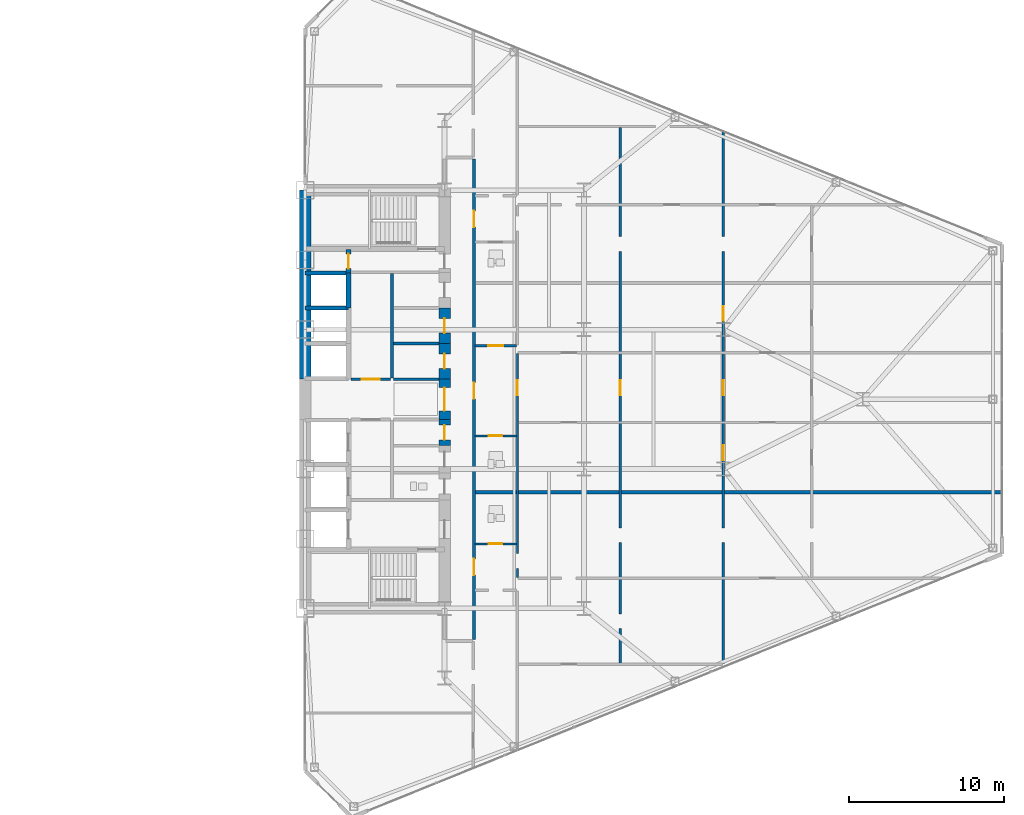
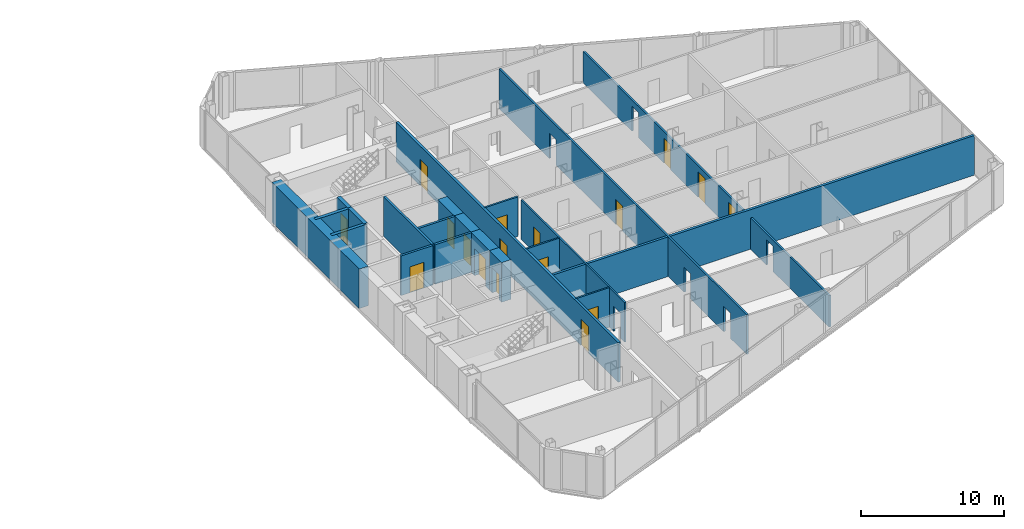
# One storey, part 21 of 25: 21 walls, 17 doors, 23 openings.
"""IFC4 building model written with IfcOpenShell, lengths in metres."""

from ifc_helpers import new_model, si_unit, direction, frame, frame_2d, origin, place, context, subcontext, project, spatial, rectangle, extrude, source, transform, mapped, material, layer, layer_set, type_object, type_shapes, element, fill, save


model = new_model("IFC4")

# Units and contexts
model_context = context("Model", 3, precision=1e-05, world=origin(), true_north=direction((0.0, 1.0)))
body_context = subcontext(model_context, "Body", "Model", "MODEL_VIEW")
ifc_project = project(units=[si_unit("LENGTHUNIT", "METRE"), si_unit("AREAUNIT", "SQUARE_METRE"), si_unit("VOLUMEUNIT", "CUBIC_METRE"), si_unit("PLANEANGLEUNIT", "RADIAN"), si_unit("MASSUNIT", "GRAM", prefix="KILO")], contexts=[model_context])

# Site, building, storey
site_placement = place(None, origin())
site = spatial("IfcSite", under=ifc_project, at=site_placement, CompositionType="ELEMENT")
building_placement = place(site_placement, origin())
building = spatial("IfcBuilding", under=site, at=building_placement, Name="Seokmaru Belvedere", CompositionType="ELEMENT")
storey_placement = place(building_placement, frame((0.0, 0.0, 33.300048828125)))
storey = spatial("IfcBuildingStorey", under=building, at=storey_placement, Name="L08", CompositionType="ELEMENT", Elevation=33.300048828125)

# Wall, opening, door
ifc_material_1 = material(Name="Fire-Rated Gypsum Shaftwall")
ifc_layer_1 = layer(ifc_material_1, 0.14990234375)
ifc_layer_set_1 = layer_set([ifc_layer_1], Name="Fire-Rated Gypsum Shaftwall")
wall_type_1 = type_object("IfcWallType", Name="Apartment Fire-Acoustic Room Partition 150", PredefinedType="PARTITIONING", material=ifc_layer_set_1)
wall_1_placement = place(storey_placement, frame((38.449951171875, 3.449951171875, 0.0), z_axis=(0.0, 0.0, 1.0), x_axis=(1.0, 0.0, 0.0)))
wall_1 = element("IfcWall", 1, at=wall_1_placement, inside=storey, type_object=wall_type_1, Name="L08 Interior Partition 022", PredefinedType="PARTITIONING", context=body_context, shape_type="SweptSolid", body=[
    extrude(rectangle(XDim=2.699951171875, YDim=0.14990234375, at=frame_2d((1.35009765625, 0.0))), origin(), (0.0, 0.0, 1.0), 3.3798828125),
])
opening_1_placement = place(wall_1_placement, frame((0.875, 0.0, 0.0)))
opening_1 = element("IfcOpeningElement", 2, at=opening_1_placement, cuts=wall_1, Name="Opening D05", PredefinedType="OPENING", context=body_context, shape_type="SweptSolid", body=[
    extrude(rectangle(XDim=0.949951171875, YDim=2.14990234375, at=frame_2d((0.47509765625, 1.074951171875))), frame((0.0, 0.0849609375, 0.0), z_axis=(0.0, -1.0, 0.0), x_axis=(1.0, 0.0, 0.0)), (0.0, 0.0, 1.0), 0.169921875),
])
ifc_material_2 = material(Name="Engineered White Oak Timber", Category="wood")
door_type_1 = type_object("IfcDoorType", Name="Apartment Interior Fire-Rated Oak Door 950x2150", OperationType="NOTDEFINED", PredefinedType="DOOR", material=ifc_material_2)
shared_shape_1 = source(origin(), body_context, "Body", "SweptSolid", [
    extrude(rectangle(XDim=0.949951171875, YDim=2.14990234375, at=frame_2d((0.47509765625, 1.074951171875))), frame((0.0, 0.02490234375, 0.0), z_axis=(0.0, -1.0, 0.0), x_axis=(1.0, 0.0, 0.0)), (0.0, 0.0, 1.0), 0.050048828125),
])
type_shapes(door_type_1, [shared_shape_1])
door_1_placement = place(opening_1_placement, origin())
door_1 = element("IfcDoor", 3, at=door_1_placement, inside=storey, type_object=door_type_1, Name="L08 Interior Door 053", OperationType="SINGLE_SWING_RIGHT", OverallHeight=2.14990234375, OverallWidth=0.949951171875, PredefinedType="DOOR", context=body_context, shape_type="MappedRepresentation", body=[
    mapped(shared_shape_1, transform((0.0, 0.0, 0.0), scale=1.0)),
])
fill(opening_1, door_1)

# Wall, openings, door
wall_2_placement = place(storey_placement, frame((47.85009765625, -17.06298828125, 0.0), z_axis=(0.0, 0.0, 1.0), x_axis=(0.0, 1.0, 0.0)))
wall_2 = element("IfcWall", 4, at=wall_2_placement, inside=storey, type_object=wall_type_1, Name="L08 Interior Partition 059", PredefinedType="PARTITIONING", context=body_context, shape_type="SweptSolid", body=[
    extrude(rectangle(XDim=34.6259765625, YDim=0.14990234375, at=frame_2d((17.31298828125, 0.0))), origin(), (0.0, 0.0, 1.0), 3.3798828125),
])
opening_2_placement = place(wall_2_placement, frame((7.809814453125, 0.0, 0.0)))
element("IfcOpeningElement", 5, at=opening_2_placement, cuts=wall_2, Name="L08 Cased Opening 043", PredefinedType="OPENING", context=body_context, shape_type="SweptSolid", body=[
    extrude(rectangle(XDim=0.949951171875, YDim=2.14990234375, at=frame_2d((0.47509765625, 1.074951171875))), frame((0.0, 0.0849609375, 0.0), z_axis=(0.0, -1.0, 0.0), x_axis=(1.0, 0.0, 0.0)), (0.0, 0.0, 1.0), 0.169921875),
])
opening_3_placement = place(wall_2_placement, frame((2.25341796875, 0.0, 0.0)))
element("IfcOpeningElement", 6, at=opening_3_placement, cuts=wall_2, Name="L08 Cased Opening 048", PredefinedType="OPENING", context=body_context, shape_type="SweptSolid", body=[
    extrude(rectangle(XDim=0.949951171875, YDim=2.14990234375, at=frame_2d((0.47509765625, 1.074951171875))), frame((0.0, 0.0849609375, 0.0), z_axis=(0.0, -1.0, 0.0), x_axis=(1.0, 0.0, 0.0)), (0.0, 0.0, 1.0), 0.169921875),
])
opening_4_placement = place(wall_2_placement, frame((17.337890625, 0.0, 0.0)))
opening_4 = element("IfcOpeningElement", 7, at=opening_4_placement, cuts=wall_2, Name="Opening D05", PredefinedType="OPENING", context=body_context, shape_type="SweptSolid", body=[
    extrude(rectangle(XDim=0.949951171875, YDim=2.14990234375, at=frame_2d((0.47509765625, 1.074951171875))), frame((0.0, 0.0849609375, 0.0), z_axis=(0.0, -1.0, 0.0), x_axis=(1.0, 0.0, 0.0)), (0.0, 0.0, 1.0), 0.169921875),
])
opening_5_placement = place(wall_2_placement, frame((26.6162109375, 0.0, 0.0)))
element("IfcOpeningElement", 8, at=opening_5_placement, cuts=wall_2, Name="L08 Cased Opening 070", PredefinedType="OPENING", context=body_context, shape_type="SweptSolid", body=[
    extrude(rectangle(XDim=0.949951171875, YDim=2.14990234375, at=frame_2d((0.47509765625, 1.074951171875))), frame((0.0, 0.0849609375, 0.0), z_axis=(0.0, -1.0, 0.0), x_axis=(1.0, 0.0, 0.0)), (0.0, 0.0, 1.0), 0.169921875),
])
door_2_placement = place(opening_4_placement, origin())
door_2 = element("IfcDoor", 9, at=door_2_placement, inside=storey, type_object=door_type_1, Name="L08 Interior Door 056", OperationType="SINGLE_SWING_LEFT", OverallHeight=2.14990234375, OverallWidth=0.949951171875, PredefinedType="DOOR", context=body_context, shape_type="MappedRepresentation", body=[
    mapped(shared_shape_1, transform((0.0, 0.0, 0.0), scale=1.0)),
])
fill(opening_4, door_2)

# Wall, openings, doors
wall_3_placement = place(storey_placement, frame((54.5, -17.06298828125, 0.0), z_axis=(0.0, 0.0, 1.0), x_axis=(0.0, 1.0, 0.0)))
wall_3 = element("IfcWall", 10, at=wall_3_placement, inside=storey, type_object=wall_type_1, Name="L08 Interior Partition 060", PredefinedType="PARTITIONING", context=body_context, shape_type="SweptSolid", body=[
    extrude(rectangle(XDim=34.384033203125, YDim=0.14990234375, at=frame_2d((17.19189453125, 0.0))), origin(), (0.0, 0.0, 1.0), 2.679931640625),
])
opening_6_placement = place(wall_3_placement, frame((7.809814453125, 0.0, 0.0)))
element("IfcOpeningElement", 11, at=opening_6_placement, cuts=wall_3, Name="L08 Cased Opening 044", PredefinedType="OPENING", context=body_context, shape_type="SweptSolid", body=[
    extrude(rectangle(XDim=0.949951171875, YDim=2.14990234375, at=frame_2d((0.47509765625, 1.074951171875))), frame((0.0, 0.0849609375, 0.0), z_axis=(0.0, -1.0, 0.0), x_axis=(1.0, 0.0, 0.0)), (0.0, 0.0, 1.0), 0.169921875),
])
opening_7_placement = place(wall_3_placement, frame((17.337890625, 0.0, 0.0)))
opening_7 = element("IfcOpeningElement", 12, at=opening_7_placement, cuts=wall_3, Name="Opening D05", PredefinedType="OPENING", context=body_context, shape_type="SweptSolid", body=[
    extrude(rectangle(XDim=0.949951171875, YDim=2.14990234375, at=frame_2d((0.47509765625, 1.074951171875))), frame((0.0, 0.0849609375, 0.0), z_axis=(0.0, -1.0, 0.0), x_axis=(1.0, 0.0, 0.0)), (0.0, 0.0, 1.0), 0.169921875),
])
opening_8_placement = place(wall_3_placement, frame((13.130859375, 0.0, 0.0)))
opening_8 = element("IfcOpeningElement", 13, at=opening_8_placement, cuts=wall_3, Name="Opening D05", PredefinedType="OPENING", context=body_context, shape_type="SweptSolid", body=[
    extrude(rectangle(XDim=0.949951171875, YDim=2.14990234375, at=frame_2d((0.47509765625, 1.074951171875))), frame((0.0, 0.0849609375, 0.0), z_axis=(0.0, -1.0, 0.0), x_axis=(1.0, 0.0, 0.0)), (0.0, 0.0, 1.0), 0.169921875),
])
opening_9_placement = place(wall_3_placement, frame((22.130859375, 0.0, 0.0)))
opening_9 = element("IfcOpeningElement", 14, at=opening_9_placement, cuts=wall_3, Name="Opening D05", PredefinedType="OPENING", context=body_context, shape_type="SweptSolid", body=[
    extrude(rectangle(XDim=0.949951171875, YDim=2.14990234375, at=frame_2d((0.47509765625, 1.074951171875))), frame((0.0, 0.0849609375, 0.0), z_axis=(0.0, -1.0, 0.0), x_axis=(1.0, 0.0, 0.0)), (0.0, 0.0, 1.0), 0.169921875),
])
opening_10_placement = place(wall_3_placement, frame((26.6162109375, 0.0, 0.0)))
element("IfcOpeningElement", 15, at=opening_10_placement, cuts=wall_3, Name="L08 Cased Opening 072", PredefinedType="OPENING", context=body_context, shape_type="SweptSolid", body=[
    extrude(rectangle(XDim=0.949951171875, YDim=2.14990234375, at=frame_2d((0.47509765625, 1.074951171875))), frame((0.0, 0.0849609375, 0.0), z_axis=(0.0, -1.0, 0.0), x_axis=(1.0, 0.0, 0.0)), (0.0, 0.0, 1.0), 0.169921875),
])
door_3_placement = place(opening_7_placement, origin())
door_3 = element("IfcDoor", 16, at=door_3_placement, inside=storey, type_object=door_type_1, Name="L08 Interior Door 058", OperationType="SINGLE_SWING_LEFT", OverallHeight=2.14990234375, OverallWidth=0.949951171875, PredefinedType="DOOR", context=body_context, shape_type="MappedRepresentation", body=[
    mapped(shared_shape_1, transform((0.0, 0.0, 0.0), scale=1.0)),
])
fill(opening_7, door_3)
door_4_placement = place(opening_8_placement, origin())
door_4 = element("IfcDoor", 17, at=door_4_placement, inside=storey, type_object=door_type_1, Name="L08 Interior Door 064", OperationType="SINGLE_SWING_LEFT", OverallHeight=2.14990234375, OverallWidth=0.949951171875, PredefinedType="DOOR", context=body_context, shape_type="MappedRepresentation", body=[
    mapped(shared_shape_1, transform((0.0, 0.0, 0.0), scale=1.0)),
])
fill(opening_8, door_4)
door_5_placement = place(opening_9_placement, origin())
door_5 = element("IfcDoor", 18, at=door_5_placement, inside=storey, type_object=door_type_1, Name="L08 Interior Door 065", OperationType="SINGLE_SWING_RIGHT", OverallHeight=2.14990234375, OverallWidth=0.949951171875, PredefinedType="DOOR", context=body_context, shape_type="MappedRepresentation", body=[
    mapped(shared_shape_1, transform((0.0, 0.0, 0.0), scale=1.0)),
])
fill(opening_9, door_5)

# Wall
ifc_layer_2 = layer(ifc_material_1, 0.179931640625)
ifc_layer_set_2 = layer_set([ifc_layer_2], Name="Fire-Rated Gypsum Shaftwall")
wall_type_2 = type_object("IfcWallType", Name="Core Service Fire Partition 180", PredefinedType="PARTITIONING", material=ifc_layer_set_2)
wall_4_placement = place(storey_placement, frame((33.10009765625, 1.3798828125, 0.0), z_axis=(0.0, 0.0, 1.0), x_axis=(0.0, 1.0, 0.0)))
element("IfcWall", 19, at=wall_4_placement, inside=storey, type_object=wall_type_2, Name="L08 East North Core Service Back Wall", PredefinedType="PARTITIONING", context=body_context, shape_type="SweptSolid", body=[
    extrude(rectangle(XDim=6.740234375, YDim=0.179931640625, at=frame_2d((3.3701171875, 0.0))), origin(), (0.0, 0.0, 1.0), 3.3798828125),
])

# Wall, opening, door
wall_5_placement = place(storey_placement, frame((30.449951171875, 1.300048828125, 0.0), z_axis=(0.0, 0.0, 1.0), x_axis=(1.0, 0.0, 0.0)))
wall_5 = element("IfcWall", 20, at=wall_5_placement, inside=storey, type_object=wall_type_2, Name="L08 East North Lift Lobby Foyer Wall", PredefinedType="PARTITIONING", context=body_context, shape_type="SweptSolid", body=[
    extrude(rectangle(XDim=2.570068359375, YDim=0.179931640625, at=frame_2d((1.28515625, 0.0))), origin(), (0.0, 0.0, 1.0), 3.3798828125),
])
opening_11_placement = place(wall_5_placement, frame((0.7099609375, 0.0, 0.0)))
opening_11 = element("IfcOpeningElement", 21, at=opening_11_placement, cuts=wall_5, Name="Opening D02", PredefinedType="OPENING", context=body_context, shape_type="SweptSolid", body=[
    extrude(rectangle(XDim=1.14990234375, YDim=2.199951171875, at=frame_2d((0.574951171875, 1.10009765625))), frame((0.0, 0.10009765625, 0.0), z_axis=(0.0, -1.0, 0.0), x_axis=(1.0, 0.0, 0.0)), (0.0, 0.0, 1.0), 0.199951171875),
])
ifc_material_3 = material(Name="Fire-Rated Steel Leaf", Category="steel")
door_type_2 = type_object("IfcDoorType", Name="Lobby and Vestibule Fire Door 1150x2200", OperationType="NOTDEFINED", PredefinedType="DOOR", material=ifc_material_3)
shared_shape_2 = source(origin(), body_context, "Body", "SweptSolid", [
    extrude(rectangle(XDim=1.14990234375, YDim=2.199951171875, at=frame_2d((0.574951171875, 1.10009765625))), frame((0.0, 0.02490234375, 0.0), z_axis=(0.0, -1.0, 0.0), x_axis=(1.0, 0.0, 0.0)), (0.0, 0.0, 1.0), 0.050048828125),
])
type_shapes(door_type_2, [shared_shape_2])
door_6_placement = place(opening_11_placement, origin())
door_6 = element("IfcDoor", 22, at=door_6_placement, inside=storey, type_object=door_type_2, Name="L08 East North Lift Lobby Door", OperationType="SINGLE_SWING_LEFT", OverallHeight=2.199951171875, OverallWidth=1.14990234375, PredefinedType="DOOR", context=body_context, shape_type="MappedRepresentation", body=[
    mapped(shared_shape_2, transform((0.0, 0.0, 0.0), scale=1.0)),
])
fill(opening_11, door_6)

# Walls
for number, where, z_axis, x_axis, name in (
    (23, (33.199951171875, 1.300048828125, 0.0), (0.0, 0.0, 1.0), (1.0, 0.0, 0.0), "L08 East Foyer Side Wall N"),
    (24, (33.199951171875, 3.60009765625, 0.0), (0.0, 0.0, 1.0), (1.0, 0.0, 0.0), "L08 East Core Service Partition 3"),
):
    element("IfcWall", number, at=place(storey_placement, frame(where, z_axis=z_axis, x_axis=x_axis)), inside=storey, type_object=wall_type_2, Name=name, PredefinedType="PARTITIONING", context=body_context, shape_type="SweptSolid", body=[
        extrude(rectangle(XDim=2.949951171875, YDim=0.179931640625, at=frame_2d((1.47509765625, 0.0))), origin(), (0.0, 0.0, 1.0), 3.3798828125),
    ])
ifc_material_4 = material(Name="Concrete C50 (50 MPa)", Category="concrete")
ifc_layer_3 = layer(ifc_material_4, 0.25)
ifc_layer_set_3 = layer_set([ifc_layer_3], Name="Concrete C50 (50 MPa)")
wall_type_3 = type_object("IfcWallType", Name="Hoistway Transverse Concrete Divider Wall 250", PredefinedType="SHEAR", material=ifc_layer_set_3)
for number, where, z_axis, x_axis, name in (
    (25, (27.5, 5.89990234375, 0.0), (0.0, 0.0, 1.0), (1.0, 0.0, 0.0), "L08 East Hoistway Divider Core Wall 6"),
    (26, (27.5, 8.14990234375, 0.0), (0.0, 0.0, 1.0), (1.0, 0.0, 0.0), "L08 East Hoistway Divider Core Wall 7"),
):
    element("IfcWall", number, at=place(storey_placement, frame(where, z_axis=z_axis, x_axis=x_axis)), inside=storey, type_object=wall_type_3, Name=name, PredefinedType="SHEAR", context=body_context, shape_type="SweptSolid", body=[
        extrude(rectangle(XDim=2.800048828125, YDim=0.25, at=frame_2d((1.39990234375, 0.0))), origin(), (0.0, 0.0, 1.0), 3.3798828125),
    ])
ifc_layer_4 = layer(ifc_material_1, 0.199951171875)
ifc_layer_set_4 = layer_set([ifc_layer_4], Name="Fire-Rated Gypsum Shaftwall")
wall_type_4 = type_object("IfcWallType", Name="Inter-Tenancy Fire Compartment Partition 200", PredefinedType="PARTITIONING", material=ifc_layer_set_4)
wall_6_placement = place(storey_placement, frame((38.47998046875, -6.0, 0.0), z_axis=(0.0, 0.0, 1.0), x_axis=(1.0, 0.0, 0.0)))
element("IfcWall", 27, at=wall_6_placement, inside=storey, type_object=wall_type_4, Name="L08 Interior Partition 015", PredefinedType="PARTITIONING", context=body_context, shape_type="SweptSolid", body=[
    extrude(rectangle(XDim=34.02490234375, YDim=0.199951171875, at=frame_2d((17.012451171875, 0.0))), origin(), (0.0, 0.0, 1.0), 3.3798828125),
])

# Wall, openings, doors
wall_7_placement = place(storey_placement, frame((38.39990234375, -15.514892578125, 0.0), z_axis=(0.0, 0.0, 1.0), x_axis=(0.0, 1.0, 0.0)))
wall_7 = element("IfcWall", 28, at=wall_7_placement, inside=storey, type_object=wall_type_4, Name="L08 Interior Partition 054", PredefinedType="PARTITIONING", context=body_context, shape_type="SweptSolid", body=[
    extrude(rectangle(XDim=31.02978515625, YDim=0.199951171875, at=frame_2d((15.514892578125, 0.0))), origin(), (0.0, 0.0, 1.0), 3.3798828125),
])
opening_12_placement = place(wall_7_placement, frame((4.16259765625, 0.0, 0.0)))
opening_12 = element("IfcOpeningElement", 29, at=opening_12_placement, cuts=wall_7, Name="Opening D03", PredefinedType="OPENING", context=body_context, shape_type="SweptSolid", body=[
    extrude(rectangle(XDim=1.050048828125, YDim=2.25, at=frame_2d((0.52490234375, 1.125))), frame((0.0, 0.10986328125, 0.0), z_axis=(0.0, -1.0, 0.0), x_axis=(1.0, 0.0, 0.0)), (0.0, 0.0, 1.0), 0.219970703125),
])
opening_13_placement = place(wall_7_placement, frame((15.53759765625, 0.0, 0.0)))
opening_13 = element("IfcOpeningElement", 30, at=opening_13_placement, cuts=wall_7, Name="Opening D03", PredefinedType="OPENING", context=body_context, shape_type="SweptSolid", body=[
    extrude(rectangle(XDim=1.050048828125, YDim=2.25, at=frame_2d((0.52490234375, 1.125))), frame((0.0, 0.10986328125, 0.0), z_axis=(0.0, -1.0, 0.0), x_axis=(1.0, 0.0, 0.0)), (0.0, 0.0, 1.0), 0.219970703125),
])
opening_14_placement = place(wall_7_placement, frame((26.635009765625, 0.0, 0.0)))
opening_14 = element("IfcOpeningElement", 31, at=opening_14_placement, cuts=wall_7, Name="Opening D03", PredefinedType="OPENING", context=body_context, shape_type="SweptSolid", body=[
    extrude(rectangle(XDim=1.050048828125, YDim=2.25, at=frame_2d((0.52490234375, 1.125))), frame((0.0, 0.10986328125, 0.0), z_axis=(0.0, -1.0, 0.0), x_axis=(1.0, 0.0, 0.0)), (0.0, 0.0, 1.0), 0.219970703125),
])
door_type_3 = type_object("IfcDoorType", Name="Apartment Entrance Fire Door 1050x2250", OperationType="NOTDEFINED", PredefinedType="DOOR", material=ifc_material_3)
shared_shape_3 = source(origin(), body_context, "Body", "SweptSolid", [
    extrude(rectangle(XDim=1.050048828125, YDim=2.25, at=frame_2d((0.52490234375, 1.125))), frame((0.0, 0.02490234375, 0.0), z_axis=(0.0, -1.0, 0.0), x_axis=(1.0, 0.0, 0.0)), (0.0, 0.0, 1.0), 0.050048828125),
])
type_shapes(door_type_3, [shared_shape_3])
door_7_placement = place(opening_12_placement, origin())
door_7 = element("IfcDoor", 32, at=door_7_placement, inside=storey, type_object=door_type_3, Name="L08 Interior Door 038", OperationType="SINGLE_SWING_LEFT", OverallHeight=2.25, OverallWidth=1.050048828125, PredefinedType="DOOR", context=body_context, shape_type="MappedRepresentation", body=[
    mapped(shared_shape_3, transform((0.0, 0.0, 0.0), scale=1.0)),
])
fill(opening_12, door_7)
door_8_placement = place(opening_13_placement, origin())
door_8 = element("IfcDoor", 33, at=door_8_placement, inside=storey, type_object=door_type_3, Name="L08 Interior Door 051", OperationType="SINGLE_SWING_RIGHT", OverallHeight=2.25, OverallWidth=1.050048828125, PredefinedType="DOOR", context=body_context, shape_type="MappedRepresentation", body=[
    mapped(shared_shape_3, transform((0.0, 0.0, 0.0), scale=1.0)),
])
fill(opening_13, door_8)
door_9_placement = place(opening_14_placement, origin())
door_9 = element("IfcDoor", 34, at=door_9_placement, inside=storey, type_object=door_type_3, Name="L08 Interior Door 066", OperationType="SINGLE_SWING_LEFT", OverallHeight=2.25, OverallWidth=1.050048828125, PredefinedType="DOOR", context=body_context, shape_type="MappedRepresentation", body=[
    mapped(shared_shape_3, transform((0.0, 0.0, 0.0), scale=1.0)),
])
fill(opening_14, door_9)

# Wall
ifc_layer_5 = layer(ifc_material_4, 0.300048828125)
ifc_layer_set_5 = layer_set([ifc_layer_5], Name="Concrete C50 (50 MPa)")
wall_type_5 = type_object("IfcWallType", Name="Internal Core Stair and Hoistway Wall 300", PredefinedType="SHEAR", material=ifc_layer_set_5)
wall_8_placement = place(storey_placement, frame((30.300048828125, 5.89990234375, 0.0), z_axis=(0.0, 0.0, 1.0), x_axis=(0.0, 1.0, 0.0)))
element("IfcWall", 35, at=wall_8_placement, inside=storey, type_object=wall_type_5, Name="L08 East North Hoistway Wall OBS", PredefinedType="SHEAR", context=body_context, shape_type="SweptSolid", body=[
    extrude(rectangle(XDim=2.25, YDim=0.300048828125, at=frame_2d((1.125, 0.0))), origin(), (0.0, 0.0, 1.0), 3.3798828125),
])

# Wall, opening, door
wall_9_placement = place(storey_placement, frame((30.300048828125, 8.14990234375, 0.0), z_axis=(0.0, 0.0, 1.0), x_axis=(0.0, 1.0, 0.0)))
wall_9 = element("IfcWall", 36, at=wall_9_placement, inside=storey, type_object=wall_type_5, Name="L08 East Electrical Riser Front Wall", PredefinedType="SHEAR", context=body_context, shape_type="SweptSolid", body=[
    extrude(rectangle(XDim=1.530029296875, YDim=0.300048828125, at=frame_2d((0.76513671875, 0.0))), origin(), (0.0, 0.0, 1.0), 3.3798828125),
])
opening_15_placement = place(wall_9_placement, frame((0.284912109375, 0.0, 0.0)))
opening_15 = element("IfcOpeningElement", 37, at=opening_15_placement, cuts=wall_9, Name="Opening D04", PredefinedType="OPENING", context=body_context, shape_type="SweptSolid", body=[
    extrude(rectangle(XDim=0.949951171875, YDim=2.14990234375, at=frame_2d((0.47509765625, 1.074951171875))), frame((0.0, 0.16015625, 0.0), z_axis=(0.0, -1.0, 0.0), x_axis=(1.0, 0.0, 0.0)), (0.0, 0.0, 1.0), 0.320068359375),
])
door_type_4 = type_object("IfcDoorType", Name="Core Service Room Fire Door 950x2150", OperationType="NOTDEFINED", PredefinedType="DOOR", material=ifc_material_3)
shared_shape_4 = source(origin(), body_context, "Body", "SweptSolid", [
    extrude(rectangle(XDim=0.949951171875, YDim=2.14990234375, at=frame_2d((0.47509765625, 1.074951171875))), frame((0.0, 0.02490234375, 0.0), z_axis=(0.0, -1.0, 0.0), x_axis=(1.0, 0.0, 0.0)), (0.0, 0.0, 1.0), 0.050048828125),
])
type_shapes(door_type_4, [shared_shape_4])
door_10_placement = place(opening_15_placement, origin())
door_10 = element("IfcDoor", 38, at=door_10_placement, inside=storey, type_object=door_type_4, Name="L08 East Electrical Riser Access Door", OperationType="SINGLE_SWING_RIGHT", OverallHeight=2.14990234375, OverallWidth=0.949951171875, PredefinedType="DOOR", context=body_context, shape_type="MappedRepresentation", body=[
    mapped(shared_shape_4, transform((0.0, 0.0, 0.0), scale=1.0)),
])
fill(opening_15, door_10)

# Wall
ifc_material_5 = material(Name="Concrete C60 (60 MPa)", Category="concrete")
ifc_layer_6 = layer(ifc_material_5, 0.75)
ifc_layer_set_6 = layer_set([ifc_layer_6], Name="Concrete C60 (60 MPa)")
wall_type_6 = type_object("IfcWallType", Name="Lower Tower Reinforced Concrete Core Wall 750", PredefinedType="SHEAR", material=ifc_layer_set_6)
wall_10_placement = place(storey_placement, frame((27.5, 1.300048828125, 0.0), z_axis=(0.0, 0.0, 1.0), x_axis=(0.0, 1.0, 0.0)))
element("IfcWall", 39, at=wall_10_placement, inside=storey, type_object=wall_type_6, Name="L08 East Portal Spine Core Wall North", PredefinedType="SHEAR", context=body_context, shape_type="SweptSolid", body=[
    extrude(rectangle(XDim=12.199951171875, YDim=0.75, at=frame_2d((6.10009765625, 0.0))), origin(), (0.0, 0.0, 1.0), 3.3798828125),
])

# Wall, opening, door
wall_11_placement = place(storey_placement, frame((36.5, -1.300048828125, 0.0), z_axis=(0.0, 0.0, 1.0), x_axis=(0.0, 1.0, 0.0)))
wall_11 = element("IfcWall", 40, at=wall_11_placement, inside=storey, type_object=wall_type_6, Name="L08 East West Core Wall FOY", PredefinedType="SHEAR", context=body_context, shape_type="SweptSolid", body=[
    extrude(rectangle(XDim=2.60009765625, YDim=0.75, at=frame_2d((1.300048828125, 0.0))), origin(), (0.0, 0.0, 1.0), 3.3798828125),
])
opening_16_placement = place(wall_11_placement, frame((0.550048828125, 0.0, 0.0)))
opening_16 = element("IfcOpeningElement", 41, at=opening_16_placement, cuts=wall_11, Name="Opening D08", PredefinedType="OPENING", context=body_context, shape_type="SweptSolid", body=[
    extrude(rectangle(XDim=1.5, YDim=2.300048828125, at=frame_2d((0.75, 1.14990234375))), frame((0.0, 0.385009765625, 0.0), z_axis=(0.0, -1.0, 0.0), x_axis=(1.0, 0.0, 0.0)), (0.0, 0.0, 1.0), 0.77001953125),
])
door_type_5 = type_object("IfcDoorType", Name="Cross-Corridor Compartment Double Fire Door 1500x2300", OperationType="DOUBLE_SWING_LEFT", PredefinedType="DOOR", material=ifc_material_3)
shared_shape_5 = source(origin(), body_context, "Body", "SweptSolid", [
    extrude(rectangle(XDim=1.5, YDim=2.300048828125, at=frame_2d((0.75, 1.14990234375))), frame((0.0, 0.02490234375, 0.0), z_axis=(0.0, -1.0, 0.0), x_axis=(1.0, 0.0, 0.0)), (0.0, 0.0, 1.0), 0.050048828125),
])
type_shapes(door_type_5, [shared_shape_5])
door_11_placement = place(opening_16_placement, origin())
door_11 = element("IfcDoor", 42, at=door_11_placement, inside=storey, type_object=door_type_5, Name="L08 East Core Foyer Compartment Door", OperationType="DOUBLE_SWING_LEFT", OverallHeight=2.300048828125, OverallWidth=1.5, PredefinedType="DOOR", context=body_context, shape_type="MappedRepresentation", body=[
    mapped(shared_shape_5, transform((0.0, 0.0, 0.0), scale=1.0)),
])
fill(opening_16, door_11)

wall_12_placement = place(storey_placement, frame((36.5, -3.0, 0.0), z_axis=(0.0, 0.0, 1.0), x_axis=(0.0, 1.0, 0.0)))
wall_12 = element("IfcWall", 43, at=wall_12_placement, inside=storey, type_object=wall_type_6, Name="L08 East West Core Wall CS3", PredefinedType="SHEAR", context=body_context, shape_type="SweptSolid", body=[
    extrude(rectangle(XDim=1.699951171875, YDim=0.75, at=frame_2d((0.85009765625, 0.0))), origin(), (0.0, 0.0, 1.0), 3.3798828125),
])
opening_17_placement = place(wall_12_placement, frame((0.375, 0.0, 0.0)))
opening_17 = element("IfcOpeningElement", 44, at=opening_17_placement, cuts=wall_12, Name="Opening D04", PredefinedType="OPENING", context=body_context, shape_type="SweptSolid", body=[
    extrude(rectangle(XDim=0.949951171875, YDim=2.14990234375, at=frame_2d((0.47509765625, 1.074951171875))), frame((0.0, 0.385009765625, 0.0), z_axis=(0.0, -1.0, 0.0), x_axis=(1.0, 0.0, 0.0)), (0.0, 0.0, 1.0), 0.77001953125),
])
door_12_placement = place(opening_17_placement, origin())
door_12 = element("IfcDoor", 45, at=door_12_placement, inside=storey, type_object=door_type_4, Name="L08 East Core Service Room Door 3", OperationType="SINGLE_SWING_RIGHT", OverallHeight=2.14990234375, OverallWidth=0.949951171875, PredefinedType="DOOR", context=body_context, shape_type="MappedRepresentation", body=[
    mapped(shared_shape_4, transform((0.0, 0.0, 0.0), scale=1.0)),
])
fill(opening_17, door_12)

wall_13_placement = place(storey_placement, frame((36.5, 1.300048828125, 0.0), z_axis=(0.0, 0.0, 1.0), x_axis=(0.0, 1.0, 0.0)))
wall_13 = element("IfcWall", 46, at=wall_13_placement, inside=storey, type_object=wall_type_6, Name="L08 East West Core Wall CS4", PredefinedType="SHEAR", context=body_context, shape_type="SweptSolid", body=[
    extrude(rectangle(XDim=2.300048828125, YDim=0.75, at=frame_2d((1.14990234375, 0.0))), origin(), (0.0, 0.0, 1.0), 3.3798828125),
])
opening_18_placement = place(wall_13_placement, frame((0.675048828125, 0.0, 0.0)))
opening_18 = element("IfcOpeningElement", 47, at=opening_18_placement, cuts=wall_13, Name="Opening D04", PredefinedType="OPENING", context=body_context, shape_type="SweptSolid", body=[
    extrude(rectangle(XDim=0.949951171875, YDim=2.14990234375, at=frame_2d((0.47509765625, 1.074951171875))), frame((0.0, 0.385009765625, 0.0), z_axis=(0.0, -1.0, 0.0), x_axis=(1.0, 0.0, 0.0)), (0.0, 0.0, 1.0), 0.77001953125),
])
door_13_placement = place(opening_18_placement, origin())
door_13 = element("IfcDoor", 48, at=door_13_placement, inside=storey, type_object=door_type_4, Name="L08 East Core Service Room Door 4", OperationType="SINGLE_SWING_LEFT", OverallHeight=2.14990234375, OverallWidth=0.949951171875, PredefinedType="DOOR", context=body_context, shape_type="MappedRepresentation", body=[
    mapped(shared_shape_4, transform((0.0, 0.0, 0.0), scale=1.0)),
])
fill(opening_18, door_13)

wall_14_placement = place(storey_placement, frame((36.5, 3.60009765625, 0.0), z_axis=(0.0, 0.0, 1.0), x_axis=(0.0, 1.0, 0.0)))
wall_14 = element("IfcWall", 49, at=wall_14_placement, inside=storey, type_object=wall_type_6, Name="L08 East West Core Wall CS5", PredefinedType="SHEAR", context=body_context, shape_type="SweptSolid", body=[
    extrude(rectangle(XDim=2.2998046875, YDim=0.75, at=frame_2d((1.14990234375, 0.0))), origin(), (0.0, 0.0, 1.0), 3.3798828125),
])
opening_19_placement = place(wall_14_placement, frame((0.675048828125, 0.0, 0.0)))
opening_19 = element("IfcOpeningElement", 50, at=opening_19_placement, cuts=wall_14, Name="Opening D04", PredefinedType="OPENING", context=body_context, shape_type="SweptSolid", body=[
    extrude(rectangle(XDim=0.949951171875, YDim=2.14990234375, at=frame_2d((0.47509765625, 1.074951171875))), frame((0.0, 0.385009765625, 0.0), z_axis=(0.0, -1.0, 0.0), x_axis=(1.0, 0.0, 0.0)), (0.0, 0.0, 1.0), 0.77001953125),
])
door_14_placement = place(opening_19_placement, origin())
door_14 = element("IfcDoor", 51, at=door_14_placement, inside=storey, type_object=door_type_4, Name="L08 East Core Service Room Door 5", OperationType="SINGLE_SWING_RIGHT", OverallHeight=2.14990234375, OverallWidth=0.949951171875, PredefinedType="DOOR", context=body_context, shape_type="MappedRepresentation", body=[
    mapped(shared_shape_4, transform((0.0, 0.0, 0.0), scale=1.0)),
])
fill(opening_19, door_14)

ifc_layer_7 = layer(ifc_material_1, 0.1298828125)
ifc_layer_set_7 = layer_set([ifc_layer_7], Name="Fire-Rated Gypsum Shaftwall")
wall_type_7 = type_object("IfcWallType", Name="Moisture-Resistant Fire-Rated Bathroom Partition 130", PredefinedType="PARTITIONING", material=ifc_layer_set_7)
wall_15_placement = place(storey_placement, frame((38.449951171875, -9.330078125, 0.0), z_axis=(0.0, 0.0, 1.0), x_axis=(1.0, 0.0, 0.0)))
wall_15 = element("IfcWall", 52, at=wall_15_placement, inside=storey, type_object=wall_type_7, Name="L08 Interior Partition 012", PredefinedType="PARTITIONING", context=body_context, shape_type="SweptSolid", body=[
    extrude(rectangle(XDim=2.699951171875, YDim=0.1298828125, at=frame_2d((1.35009765625, 0.0))), origin(), (0.0, 0.0, 1.0), 3.3798828125),
])
opening_20_placement = place(wall_15_placement, frame((0.909912109375, 0.0, 0.0)))
opening_20 = element("IfcOpeningElement", 53, at=opening_20_placement, cuts=wall_15, Name="Opening D06", PredefinedType="OPENING", context=body_context, shape_type="SweptSolid", body=[
    extrude(rectangle(XDim=0.8798828125, YDim=2.10009765625, at=frame_2d((0.43994140625, 1.050048828125))), frame((0.0, 0.074951171875, 0.0), z_axis=(0.0, -1.0, 0.0), x_axis=(1.0, 0.0, 0.0)), (0.0, 0.0, 1.0), 0.14990234375),
])
door_type_6 = type_object("IfcDoorType", Name="Bathroom and Restroom Fire-Rated Door 880x2100", OperationType="NOTDEFINED", PredefinedType="DOOR", material=ifc_material_2)
shared_shape_6 = source(origin(), body_context, "Body", "SweptSolid", [
    extrude(rectangle(XDim=0.8798828125, YDim=2.10009765625, at=frame_2d((0.43994140625, 1.050048828125))), frame((0.0, 0.02490234375, 0.0), z_axis=(0.0, -1.0, 0.0), x_axis=(1.0, 0.0, 0.0)), (0.0, 0.0, 1.0), 0.050048828125),
])
type_shapes(door_type_6, [shared_shape_6])
door_15_placement = place(opening_20_placement, origin())
door_15 = element("IfcDoor", 54, at=door_15_placement, inside=storey, type_object=door_type_6, Name="L08 Interior Door 039", OperationType="SINGLE_SWING_RIGHT", OverallHeight=2.10009765625, OverallWidth=0.8798828125, PredefinedType="DOOR", context=body_context, shape_type="MappedRepresentation", body=[
    mapped(shared_shape_6, transform((0.0, 0.0, 0.0), scale=1.0)),
])
fill(opening_20, door_15)

wall_16_placement = place(storey_placement, frame((38.449951171875, -2.360107421875, 0.0), z_axis=(0.0, 0.0, 1.0), x_axis=(1.0, 0.0, 0.0)))
wall_16 = element("IfcWall", 55, at=wall_16_placement, inside=storey, type_object=wall_type_7, Name="L08 Interior Partition 017", PredefinedType="PARTITIONING", context=body_context, shape_type="SweptSolid", body=[
    extrude(rectangle(XDim=2.699951171875, YDim=0.1298828125, at=frame_2d((1.35009765625, 0.0))), origin(), (0.0, 0.0, 1.0), 3.3798828125),
])
opening_21_placement = place(wall_16_placement, frame((0.909912109375, 0.0, 0.0)))
opening_21 = element("IfcOpeningElement", 56, at=opening_21_placement, cuts=wall_16, Name="Opening D06", PredefinedType="OPENING", context=body_context, shape_type="SweptSolid", body=[
    extrude(rectangle(XDim=0.8798828125, YDim=2.10009765625, at=frame_2d((0.43994140625, 1.050048828125))), frame((0.0, 0.074951171875, 0.0), z_axis=(0.0, -1.0, 0.0), x_axis=(1.0, 0.0, 0.0)), (0.0, 0.0, 1.0), 0.14990234375),
])
door_16_placement = place(opening_21_placement, origin())
door_16 = element("IfcDoor", 57, at=door_16_placement, inside=storey, type_object=door_type_6, Name="L08 Interior Door 052", OperationType="SINGLE_SWING_RIGHT", OverallHeight=2.10009765625, OverallWidth=0.8798828125, PredefinedType="DOOR", context=body_context, shape_type="MappedRepresentation", body=[
    mapped(shared_shape_6, transform((0.0, 0.0, 0.0), scale=1.0)),
])
fill(opening_21, door_16)

# Wall, openings, door
wall_17_placement = place(storey_placement, frame((41.199951171875, -11.506103515625, 0.0), z_axis=(0.0, 0.0, 1.0), x_axis=(0.0, 1.0, 0.0)))
wall_17 = element("IfcWall", 58, at=wall_17_placement, inside=storey, type_object=wall_type_7, Name="L08 Interior Partition 056", PredefinedType="PARTITIONING", context=body_context, shape_type="SweptSolid", body=[
    extrude(rectangle(XDim=14.4560546875, YDim=0.1298828125, at=frame_2d((7.22802734375, 0.0))), origin(), (0.0, 0.0, 1.0), 3.3798828125),
])
opening_22_placement = place(wall_17_placement, frame((0.589111328125, 0.0, 0.0)))
element("IfcOpeningElement", 59, at=opening_22_placement, cuts=wall_17, Name="L08 Cased Opening 041", PredefinedType="OPENING", context=body_context, shape_type="SweptSolid", body=[
    extrude(rectangle(XDim=0.949951171875, YDim=2.14990234375, at=frame_2d((0.47509765625, 1.074951171875))), frame((0.0, 0.074951171875, 0.0), z_axis=(0.0, -1.0, 0.0), x_axis=(1.0, 0.0, 0.0)), (0.0, 0.0, 1.0), 0.14990234375),
])
opening_23_placement = place(wall_17_placement, frame((11.781005859375, 0.0, 0.0)))
opening_23 = element("IfcOpeningElement", 60, at=opening_23_placement, cuts=wall_17, Name="Opening D05", PredefinedType="OPENING", context=body_context, shape_type="SweptSolid", body=[
    extrude(rectangle(XDim=0.949951171875, YDim=2.14990234375, at=frame_2d((0.47509765625, 1.074951171875))), frame((0.0, 0.074951171875, 0.0), z_axis=(0.0, -1.0, 0.0), x_axis=(1.0, 0.0, 0.0)), (0.0, 0.0, 1.0), 0.14990234375),
])
door_17_placement = place(opening_23_placement, origin())
door_17 = element("IfcDoor", 61, at=door_17_placement, inside=storey, type_object=door_type_1, Name="L08 Interior Door 054", OperationType="SINGLE_SWING_LEFT", OverallHeight=2.14990234375, OverallWidth=0.949951171875, PredefinedType="DOOR", context=body_context, shape_type="MappedRepresentation", body=[
    mapped(shared_shape_1, transform((0.0, 0.0, 0.0), scale=1.0)),
])
fill(opening_23, door_17)

save(model, "model.ifc")
